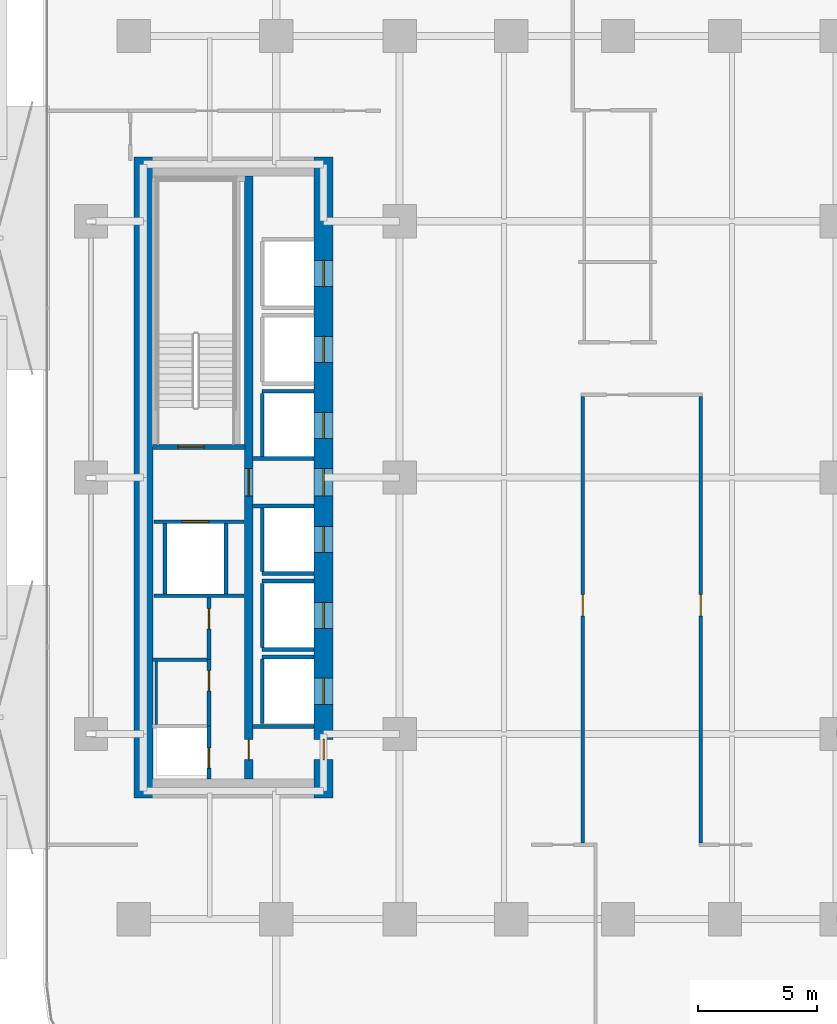
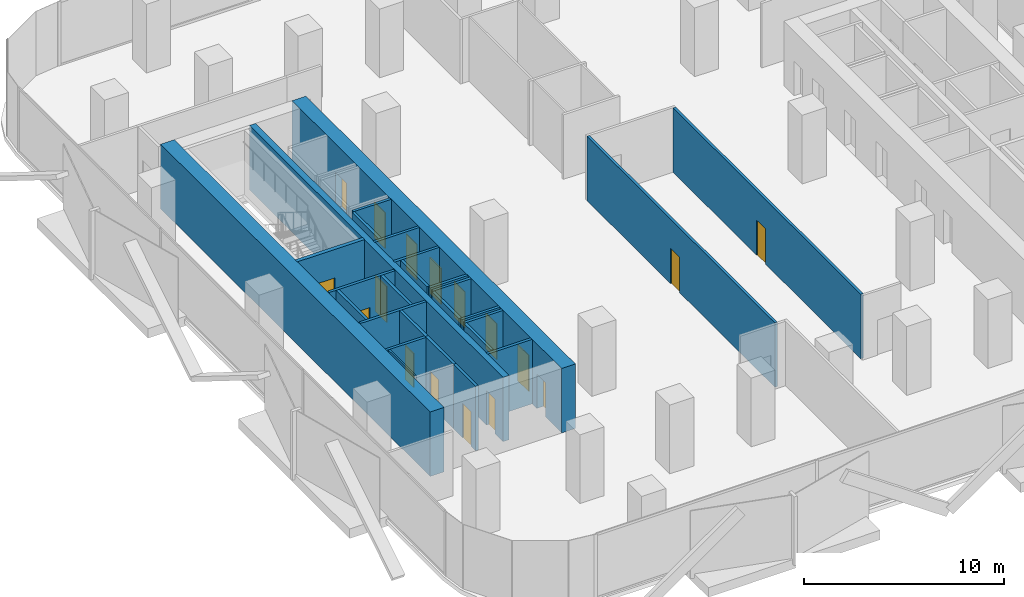
# One storey, part 3 of 14: 27 walls, 17 doors, 17 openings.
"""IFC4 building model written with IfcOpenShell, lengths in metres."""

from ifc_helpers import new_model, si_unit, direction, frame, frame_2d, origin, place, context, subcontext, project, spatial, rectangle, extrude, material, layer, layer_set, type_object, element, fill, save


model = new_model("IFC4")

# Units and contexts
model_context = context("Model", 3, precision=1e-05, world=origin(), true_north=direction((0.0, 1.0)))
body_context = subcontext(model_context, "Body", "Model", "MODEL_VIEW")
ifc_project = project(units=[si_unit("LENGTHUNIT", "METRE"), si_unit("AREAUNIT", "SQUARE_METRE"), si_unit("VOLUMEUNIT", "CUBIC_METRE"), si_unit("PLANEANGLEUNIT", "RADIAN"), si_unit("MASSUNIT", "GRAM", prefix="KILO")], contexts=[model_context])

# Site, building, storey
site_placement = place(None, origin())
site = spatial("IfcSite", under=ifc_project, at=site_placement, CompositionType="ELEMENT")
building_placement = place(site_placement, origin())
building = spatial("IfcBuilding", under=site, at=building_placement, Name="Khairoan Windgate Tower", CompositionType="ELEMENT")
storey_placement = place(building_placement, frame((0.0, 0.0, 63.800048828125)))
storey = spatial("IfcBuildingStorey", under=building, at=storey_placement, Name="L15", CompositionType="ELEMENT", Elevation=63.800048828125)

# Walls
ifc_material_1 = material(Name="Moisture-Resistant Gypsum Partition", Category="gypsum")
ifc_layer_1 = layer(ifc_material_1, 0.10009765625, Name="Moisture-Resistant Gypsum Partition")
ifc_layer_set_1 = layer_set([ifc_layer_1], Name="Moisture-Resistant Gypsum Partition")
wall_type_1 = type_object("IfcWallType", Name="Bathroom Wet-Area Partition Wall", PredefinedType="PARTITIONING", material=ifc_layer_set_1)
wall_1_placement = place(storey_placement, frame((-19.449951171875, -10.389892578125, 0.0), z_axis=(0.0, 0.0, 1.0), x_axis=(0.0, 1.0, 0.0)))
element("IfcWall", 1, at=wall_1_placement, inside=storey, type_object=wall_type_1, Name="L15 Wet Room Side Wall 030", PredefinedType="PARTITIONING", context=body_context, shape_type="SweptSolid", body=[
    extrude(rectangle(XDim=2.639892578125, YDim=0.10009765625, at=frame_2d((1.31982421875, 0.0))), origin(), (0.0, 0.0, 1.0), 3.93994140625),
])
ifc_material_2 = material(Name="Concrete C40/50", Category="concrete")
ifc_layer_2 = layer(ifc_material_2, 0.159912109375, Name="Concrete C40/50")
ifc_layer_set_2 = layer_set([ifc_layer_2], Name="Concrete C40/50")
wall_type_2 = type_object("IfcWallType", Name="Core and Hoistway Enclosure Wall", PredefinedType="STANDARD", material=ifc_layer_set_2)
wall_2_placement = place(storey_placement, frame((-14.989990234375, 3.639892578125, 0.0), z_axis=(0.0, 0.0, 1.0), x_axis=(1.0, 0.0, 0.0)))
element("IfcWall", 2, at=wall_2_placement, inside=storey, type_object=wall_type_2, Name="L15 Lift PL3 Hoistway Divider N", PredefinedType="STANDARD", context=body_context, shape_type="SweptSolid", body=[
    extrude(rectangle(XDim=2.18994140625, YDim=0.159912109375, at=frame_2d((1.094970703125, 0.0))), origin(), (0.0, 0.0, 1.0), 3.93994140625),
])
wall_3_placement = place(storey_placement, frame((-14.989990234375, 0.85009765625, 0.0), z_axis=(0.0, 0.0, 1.0), x_axis=(0.0, 1.0, 0.0)))
element("IfcWall", 3, at=wall_3_placement, inside=storey, type_object=wall_type_2, Name="L15 Lift PL3 Hoistway Back Wall", PredefinedType="STANDARD", context=body_context, shape_type="SweptSolid", body=[
    extrude(rectangle(XDim=2.699951171875, YDim=0.159912109375, at=frame_2d((1.35009765625, 0.0))), origin(), (0.0, 0.0, 1.0), 3.93994140625),
])
wall_4_placement = place(storey_placement, frame((-14.989990234375, -4.0400390625, 0.0), z_axis=(0.0, 0.0, 1.0), x_axis=(1.0, 0.0, 0.0)))
element("IfcWall", 4, at=wall_4_placement, inside=storey, type_object=wall_type_2, Name="L15 Lift PL4 Hoistway Divider S", PredefinedType="STANDARD", context=body_context, shape_type="SweptSolid", body=[
    extrude(rectangle(XDim=2.18994140625, YDim=0.159912109375, at=frame_2d((1.094970703125, 0.0))), origin(), (0.0, 0.0, 1.0), 3.93994140625),
])
wall_5_placement = place(storey_placement, frame((-14.989990234375, -3.949951171875, 0.0), z_axis=(0.0, 0.0, 1.0), x_axis=(0.0, 1.0, 0.0)))
element("IfcWall", 5, at=wall_5_placement, inside=storey, type_object=wall_type_2, Name="L15 Lift PL4 Hoistway Back Wall", PredefinedType="STANDARD", context=body_context, shape_type="SweptSolid", body=[
    extrude(rectangle(XDim=2.699951171875, YDim=0.159912109375, at=frame_2d((1.35009765625, 0.0))), origin(), (0.0, 0.0, 1.0), 3.93994140625),
])
for number, where, z_axis, x_axis, name in (
    (6, (-14.989990234375, -7.239990234375, 0.0), (0.0, 0.0, 1.0), (1.0, 0.0, 0.0), "L15 Lift PL5 Hoistway Divider S"),
    (7, (-14.989990234375, -4.360107421875, 0.0), (0.0, 0.0, 1.0), (1.0, 0.0, 0.0), "L15 Lift PL5 Hoistway Divider N"),
):
    element("IfcWall", number, at=place(storey_placement, frame(where, z_axis=z_axis, x_axis=x_axis)), inside=storey, type_object=wall_type_2, Name=name, PredefinedType="STANDARD", context=body_context, shape_type="SweptSolid", body=[
        extrude(rectangle(XDim=2.18994140625, YDim=0.159912109375, at=frame_2d((1.094970703125, 0.0))), origin(), (0.0, 0.0, 1.0), 3.93994140625),
    ])
wall_6_placement = place(storey_placement, frame((-14.989990234375, -7.14990234375, 0.0), z_axis=(0.0, 0.0, 1.0), x_axis=(0.0, 1.0, 0.0)))
element("IfcWall", 8, at=wall_6_placement, inside=storey, type_object=wall_type_2, Name="L15 Lift PL5 Hoistway Back Wall", PredefinedType="STANDARD", context=body_context, shape_type="SweptSolid", body=[
    extrude(rectangle(XDim=2.699951171875, YDim=0.159912109375, at=frame_2d((1.35009765625, 0.0))), origin(), (0.0, 0.0, 1.0), 3.93994140625),
])
wall_7_placement = place(storey_placement, frame((-14.989990234375, -7.56005859375, 0.0), z_axis=(0.0, 0.0, 1.0), x_axis=(1.0, 0.0, 0.0)))
element("IfcWall", 9, at=wall_7_placement, inside=storey, type_object=wall_type_2, Name="L15 Lift PL6 Hoistway Divider N", PredefinedType="STANDARD", context=body_context, shape_type="SweptSolid", body=[
    extrude(rectangle(XDim=2.18994140625, YDim=0.159912109375, at=frame_2d((1.094970703125, 0.0))), origin(), (0.0, 0.0, 1.0), 3.93994140625),
])
wall_8_placement = place(storey_placement, frame((-14.989990234375, -10.35009765625, 0.0), z_axis=(0.0, 0.0, 1.0), x_axis=(0.0, 1.0, 0.0)))
element("IfcWall", 10, at=wall_8_placement, inside=storey, type_object=wall_type_2, Name="L15 Lift PL6 Hoistway Back Wall", PredefinedType="STANDARD", context=body_context, shape_type="SweptSolid", body=[
    extrude(rectangle(XDim=2.7001953125, YDim=0.159912109375, at=frame_2d((1.35009765625, 0.0))), origin(), (0.0, 0.0, 1.0), 3.93994140625),
])

# Wall, opening, door
wall_9_placement = place(storey_placement, frame((-19.550048828125, -1.860107421875, 0.0), z_axis=(0.0, 0.0, 1.0), x_axis=(1.0, 0.0, 0.0)))
wall_9 = element("IfcWall", 11, at=wall_9_placement, inside=storey, type_object=wall_type_2, Name="L15 Core Shaft Wall SW-FL2-L15", PredefinedType="STANDARD", context=body_context, shape_type="SweptSolid", body=[
    extrude(rectangle(XDim=3.800048828125, YDim=0.159912109375, at=frame_2d((1.89990234375, 0.0))), origin(), (0.0, 0.0, 1.0), 3.93994140625),
])
opening_1_placement = place(wall_9_placement, frame((1.179931640625, 0.0, 0.0)))
opening_1 = element("IfcOpeningElement", 12, at=opening_1_placement, cuts=wall_9, Name="Opening LD-FL", PredefinedType="OPENING", context=body_context, shape_type="SweptSolid", body=[
    extrude(rectangle(XDim=1.14990234375, YDim=2.199951171875, at=frame_2d((0.574951171875, 1.10009765625))), frame((0.0, 0.08984375, 0.0), z_axis=(0.0, -1.0, 0.0), x_axis=(1.0, 0.0, 0.0)), (0.0, 0.0, 1.0), 0.179931640625),
])
ifc_material_3 = material(Name="Steel S355", Category="steel")
door_type_1 = type_object("IfcDoorType", Name="Firefighting Lift Sliding Landing Door LD-FL 1150x2200", OperationType="DOUBLE_DOOR_SLIDING", PredefinedType="DOOR", material=ifc_material_3)
door_1_placement = place(opening_1_placement, origin())
door_1 = element("IfcDoor", 13, at=door_1_placement, inside=storey, type_object=door_type_1, Name="L15 Firefighting Lift FL2 Landing Door", OperationType="DOUBLE_DOOR_SLIDING", OverallHeight=2.199951171875, OverallWidth=1.14990234375, PredefinedType="DOOR", context=body_context, shape_type="SweptSolid", body=[
    extrude(rectangle(XDim=1.14990234375, YDim=2.199951171875, at=frame_2d((0.574951171875, 1.10009765625))), frame((0.0, 0.02490234375, 0.0), z_axis=(0.0, -1.0, 0.0), x_axis=(1.0, 0.0, 0.0)), (0.0, 0.0, 1.0), 0.050048828125),
])
fill(opening_1, door_1)

# Walls
wall_10_placement = place(storey_placement, frame((-19.550048828125, -4.97998046875, 0.0), z_axis=(0.0, 0.0, 1.0), x_axis=(1.0, 0.0, 0.0)))
element("IfcWall", 14, at=wall_10_placement, inside=storey, type_object=wall_type_2, Name="L15 Core Shaft Wall SW-FL2B-L15", PredefinedType="STANDARD", context=body_context, shape_type="SweptSolid", body=[
    extrude(rectangle(XDim=3.800048828125, YDim=0.159912109375, at=frame_2d((1.89990234375, 0.0))), origin(), (0.0, 0.0, 1.0), 3.93994140625),
])
for number, where, z_axis, x_axis, name in (
    (15, (-19.080078125, -4.89990234375, 0.0), (0.0, 0.0, 1.0), (0.0, 1.0, 0.0), "L15 Core Shaft Wall SW-FL2W-L15"),
    (16, (-16.52001953125, -4.89990234375, 0.0), (0.0, 0.0, 1.0), (0.0, 1.0, 0.0), "L15 Core Shaft Wall SW-FL2E-L15"),
):
    element("IfcWall", number, at=place(storey_placement, frame(where, z_axis=z_axis, x_axis=x_axis)), inside=storey, type_object=wall_type_2, Name=name, PredefinedType="STANDARD", context=body_context, shape_type="SweptSolid", body=[
        extrude(rectangle(XDim=2.9599609375, YDim=0.159912109375, at=frame_2d((1.47998046875, 0.0))), origin(), (0.0, 0.0, 1.0), 3.93994140625),
    ])
for number, where, z_axis, x_axis, name in (
    (17, (-15.39990234375, 0.800048828125, 0.0), (0.0, 0.0, 1.0), (1.0, 0.0, 0.0), "L15 Core Shaft Wall SW-WV1-L15"),
    (18, (-15.39990234375, -1.199951171875, 0.0), (0.0, 0.0, 1.0), (1.0, 0.0, 0.0), "L15 Core Shaft Wall SW-WV2-L15"),
    (19, (-15.39990234375, -10.47998046875, 0.0), (0.0, 0.0, 1.0), (1.0, 0.0, 0.0), "L15 Core Shaft Wall SW-WSV-L15"),
):
    element("IfcWall", number, at=place(storey_placement, frame(where, z_axis=z_axis, x_axis=x_axis)), inside=storey, type_object=wall_type_2, Name=name, PredefinedType="STANDARD", context=body_context, shape_type="SweptSolid", body=[
        extrude(rectangle(XDim=2.599853515625, YDim=0.159912109375, at=frame_2d((1.2998046875, 0.0))), origin(), (0.0, 0.0, 1.0), 3.93994140625),
    ])

# Wall, opening, door
ifc_material_4 = material(Name="Concrete C40/50", Category="concrete")
ifc_layer_3 = layer(ifc_material_4, 0.159912109375, Name="Concrete C40/50")
ifc_layer_set_3 = layer_set([ifc_layer_3], Name="Concrete C40/50")
wall_type_3 = type_object("IfcWallType", Name="Plant and Refuge Compartment Wall", PredefinedType="PARTITIONING", material=ifc_layer_set_3)
wall_11_placement = place(storey_placement, frame((-17.22998046875, -12.699951171875, 0.0), z_axis=(0.0, 0.0, 1.0), x_axis=(0.0, 1.0, 0.0)))
wall_11 = element("IfcWall", 20, at=wall_11_placement, inside=storey, type_object=wall_type_3, Name="L15 Interior Partition 001", PredefinedType="PARTITIONING", context=body_context, shape_type="SweptSolid", body=[
    extrude(rectangle(XDim=2.22998046875, YDim=0.159912109375, at=frame_2d((1.114990234375, 0.0))), origin(), (0.0, 0.0, 1.0), 3.93994140625),
])
opening_2_placement = place(wall_11_placement, frame((0.4599609375, 0.0, 0.0)))
opening_2 = element("IfcOpeningElement", 21, at=opening_2_placement, cuts=wall_11, Name="Opening FD-SRV", PredefinedType="OPENING", context=body_context, shape_type="SweptSolid", body=[
    extrude(rectangle(XDim=0.85009765625, YDim=2.10009765625, at=frame_2d((0.425048828125, 1.050048828125))), frame((0.0, 0.08984375, 0.0), z_axis=(0.0, -1.0, 0.0), x_axis=(1.0, 0.0, 0.0)), (0.0, 0.0, 1.0), 0.179931640625),
])
ifc_material_5 = material(Name="Steel S355", Category="steel")
door_type_2 = type_object("IfcDoorType", Name="Core Service and Riser Fire Door FD-SRV 850x2100", OperationType="NOTDEFINED", PredefinedType="DOOR", material=ifc_material_5)
door_2_placement = place(opening_2_placement, origin())
door_2 = element("IfcDoor", 22, at=door_2_placement, inside=storey, type_object=door_type_2, Name="L15 L15-04-L15-05 Door", OperationType="SINGLE_SWING_LEFT", OverallHeight=2.10009765625, OverallWidth=0.85009765625, PredefinedType="DOOR", context=body_context, shape_type="SweptSolid", body=[
    extrude(rectangle(XDim=0.85009765625, YDim=2.10009765625, at=frame_2d((0.425048828125, 1.050048828125))), frame((0.0, 0.02490234375, 0.0), z_axis=(0.0, -1.0, 0.0), x_axis=(1.0, 0.0, 0.0)), (0.0, 0.0, 1.0), 0.050048828125),
])
fill(opening_2, door_2)

wall_12_placement = place(storey_placement, frame((-17.22998046875, -10.469970703125, 0.0), z_axis=(0.0, 0.0, 1.0), x_axis=(0.0, 1.0, 0.0)))
wall_12 = element("IfcWall", 23, at=wall_12_placement, inside=storey, type_object=wall_type_3, Name="L15 Interior Partition 002", PredefinedType="PARTITIONING", context=body_context, shape_type="SweptSolid", body=[
    extrude(rectangle(XDim=2.800048828125, YDim=0.159912109375, at=frame_2d((1.39990234375, 0.0))), origin(), (0.0, 0.0, 1.0), 3.93994140625),
])
opening_3_placement = place(wall_12_placement, frame((1.489990234375, 0.0, 0.0)))
opening_3 = element("IfcOpeningElement", 24, at=opening_3_placement, cuts=wall_12, Name="Opening FD-SRV", PredefinedType="OPENING", context=body_context, shape_type="SweptSolid", body=[
    extrude(rectangle(XDim=0.85009765625, YDim=2.10009765625, at=frame_2d((0.425048828125, 1.050048828125))), frame((0.0, 0.08984375, 0.0), z_axis=(0.0, -1.0, 0.0), x_axis=(1.0, 0.0, 0.0)), (0.0, 0.0, 1.0), 0.179931640625),
])
door_3_placement = place(opening_3_placement, origin())
door_3 = element("IfcDoor", 25, at=door_3_placement, inside=storey, type_object=door_type_2, Name="L15 L15-04-L15-06 Door", OperationType="SINGLE_SWING_RIGHT", OverallHeight=2.10009765625, OverallWidth=0.85009765625, PredefinedType="DOOR", context=body_context, shape_type="SweptSolid", body=[
    extrude(rectangle(XDim=0.85009765625, YDim=2.10009765625, at=frame_2d((0.425048828125, 1.050048828125))), frame((0.0, 0.02490234375, 0.0), z_axis=(0.0, -1.0, 0.0), x_axis=(1.0, 0.0, 0.0)), (0.0, 0.0, 1.0), 0.050048828125),
])
fill(opening_3, door_3)

wall_13_placement = place(storey_placement, frame((-17.22998046875, -7.669921875, 0.0), z_axis=(0.0, 0.0, 1.0), x_axis=(0.0, 1.0, 0.0)))
wall_13 = element("IfcWall", 26, at=wall_13_placement, inside=storey, type_object=wall_type_3, Name="L15 Interior Partition 003", PredefinedType="PARTITIONING", context=body_context, shape_type="SweptSolid", body=[
    extrude(rectangle(XDim=2.60986328125, YDim=0.159912109375, at=frame_2d((1.304931640625, 0.0))), origin(), (0.0, 0.0, 1.0), 3.93994140625),
])
opening_4_placement = place(wall_13_placement, frame((1.300048828125, 0.0, 0.0)))
opening_4 = element("IfcOpeningElement", 27, at=opening_4_placement, cuts=wall_13, Name="Opening FD-SRV", PredefinedType="OPENING", context=body_context, shape_type="SweptSolid", body=[
    extrude(rectangle(XDim=0.85009765625, YDim=2.10009765625, at=frame_2d((0.425048828125, 1.050048828125))), frame((0.0, 0.08984375, 0.0), z_axis=(0.0, -1.0, 0.0), x_axis=(1.0, 0.0, 0.0)), (0.0, 0.0, 1.0), 0.179931640625),
])
door_4_placement = place(opening_4_placement, origin())
door_4 = element("IfcDoor", 28, at=door_4_placement, inside=storey, type_object=door_type_2, Name="L15 L15-04-L15-07 Door", OperationType="SINGLE_SWING_LEFT", OverallHeight=2.10009765625, OverallWidth=0.85009765625, PredefinedType="DOOR", context=body_context, shape_type="SweptSolid", body=[
    extrude(rectangle(XDim=0.85009765625, YDim=2.10009765625, at=frame_2d((0.425048828125, 1.050048828125))), frame((0.0, 0.02490234375, 0.0), z_axis=(0.0, -1.0, 0.0), x_axis=(1.0, 0.0, 0.0)), (0.0, 0.0, 1.0), 0.050048828125),
])
fill(opening_4, door_4)

# Wall
wall_14_placement = place(storey_placement, frame((-19.60009765625, -7.669921875, 0.0), z_axis=(0.0, 0.0, 1.0), x_axis=(1.0, 0.0, 0.0)))
element("IfcWall", 29, at=wall_14_placement, inside=storey, type_object=wall_type_3, Name="L15 Interior Partition 005", PredefinedType="PARTITIONING", context=body_context, shape_type="SweptSolid", body=[
    extrude(rectangle(XDim=2.2900390625, YDim=0.159912109375, at=frame_2d((1.14501953125, 0.0))), origin(), (0.0, 0.0, 1.0), 3.93994140625),
])

# Wall, opening, door
ifc_material_6 = material(Name="Acoustic Fire-Rated Gypsum Partition", Category="gypsum")
ifc_layer_4 = layer(ifc_material_6, 0.14990234375, Name="Acoustic Fire-Rated Gypsum Partition")
ifc_layer_set_4 = layer_set([ifc_layer_4], Name="Acoustic Fire-Rated Gypsum Partition")
wall_type_4 = type_object("IfcWallType", Name="Rated Corridor Partition Wall", PredefinedType="PARTITIONING", material=ifc_layer_set_4)
wall_15_placement = place(storey_placement, frame((-1.485107421875, -15.385009765625, 0.0), z_axis=(0.0, 0.0, 1.0), x_axis=(0.0, 1.0, 0.0)))
wall_15 = element("IfcWall", 30, at=wall_15_placement, inside=storey, type_object=wall_type_4, Name="L15 Interior Partition 013", PredefinedType="PARTITIONING", context=body_context, shape_type="SweptSolid", body=[
    extrude(rectangle(XDim=18.804931640625, YDim=0.14990234375, at=frame_2d((9.40234375, 0.0))), origin(), (0.0, 0.0, 1.0), 3.93994140625),
])
opening_5_placement = place(wall_15_placement, frame((9.55908203125, 0.0, 0.0)))
opening_5 = element("IfcOpeningElement", 31, at=opening_5_placement, cuts=wall_15, Name="Opening FD-ENT", PredefinedType="OPENING", context=body_context, shape_type="SweptSolid", body=[
    extrude(rectangle(XDim=0.89990234375, YDim=2.14990234375, at=frame_2d((0.449951171875, 1.074951171875))), frame((0.0, 0.0849609375, 0.0), z_axis=(0.0, -1.0, 0.0), x_axis=(1.0, 0.0, 0.0)), (0.0, 0.0, 1.0), 0.169921875),
])
ifc_material_7 = material(Name="Timber Fire-Rated Core", Category="wood")
door_type_3 = type_object("IfcDoorType", Name="Unit and Office Fire Entrance Door FD-ENT 900x2150", OperationType="NOTDEFINED", PredefinedType="DOOR", material=ifc_material_7)
door_5_placement = place(opening_5_placement, origin())
door_5 = element("IfcDoor", 32, at=door_5_placement, inside=storey, type_object=door_type_3, Name="L15 L15-31-L15-46 Door", OperationType="SINGLE_SWING_RIGHT", OverallHeight=2.14990234375, OverallWidth=0.89990234375, PredefinedType="DOOR", context=body_context, shape_type="SweptSolid", body=[
    extrude(rectangle(XDim=0.89990234375, YDim=2.14990234375, at=frame_2d((0.449951171875, 1.074951171875))), frame((0.0, 0.02490234375, 0.0), z_axis=(0.0, -1.0, 0.0), x_axis=(1.0, 0.0, 0.0)), (0.0, 0.0, 1.0), 0.050048828125),
])
fill(opening_5, door_5)

wall_16_placement = place(storey_placement, frame((3.485107421875, -15.385009765625, 0.0), z_axis=(0.0, 0.0, 1.0), x_axis=(0.0, 1.0, 0.0)))
wall_16 = element("IfcWall", 33, at=wall_16_placement, inside=storey, type_object=wall_type_4, Name="L15 Interior Partition 015", PredefinedType="PARTITIONING", context=body_context, shape_type="SweptSolid", body=[
    extrude(rectangle(XDim=18.804931640625, YDim=0.14990234375, at=frame_2d((9.40234375, 0.0))), origin(), (0.0, 0.0, 1.0), 3.93994140625),
])
opening_6_placement = place(wall_16_placement, frame((9.55908203125, 0.0, 0.0)))
opening_6 = element("IfcOpeningElement", 34, at=opening_6_placement, cuts=wall_16, Name="Opening FD-ENT", PredefinedType="OPENING", context=body_context, shape_type="SweptSolid", body=[
    extrude(rectangle(XDim=0.89990234375, YDim=2.14990234375, at=frame_2d((0.449951171875, 1.074951171875))), frame((0.0, 0.0849609375, 0.0), z_axis=(0.0, -1.0, 0.0), x_axis=(1.0, 0.0, 0.0)), (0.0, 0.0, 1.0), 0.169921875),
])
door_6_placement = place(opening_6_placement, origin())
door_6 = element("IfcDoor", 35, at=door_6_placement, inside=storey, type_object=door_type_3, Name="L15 L15-32-L15-46 Door", OperationType="SINGLE_SWING_RIGHT", OverallHeight=2.14990234375, OverallWidth=0.89990234375, PredefinedType="DOOR", context=body_context, shape_type="SweptSolid", body=[
    extrude(rectangle(XDim=0.89990234375, YDim=2.14990234375, at=frame_2d((0.449951171875, 1.074951171875))), frame((0.0, 0.02490234375, 0.0), z_axis=(0.0, -1.0, 0.0), x_axis=(1.0, 0.0, 0.0)), (0.0, 0.0, 1.0), 0.050048828125),
])
fill(opening_6, door_6)

# Wall
ifc_material_8 = material(Name="Concrete C70/85", Category="concrete")
ifc_layer_5 = layer(ifc_material_8, 0.800048828125, Name="Concrete C70/85")
ifc_layer_set_5 = layer_set([ifc_layer_5], Name="Concrete C70/85")
wall_type_5 = type_object("IfcWallType", Name="Shear Wall CW-W1 800mm", PredefinedType="SHEAR", material=ifc_layer_set_5)
wall_17_placement = place(storey_placement, frame((-20.0, -13.5, 0.0), z_axis=(0.0, 0.0, 1.0), x_axis=(0.0, 1.0, 0.0)))
element("IfcWall", 36, at=wall_17_placement, inside=storey, type_object=wall_type_5, Name="W Core West Shear Wall L15", PredefinedType="SHEAR", context=body_context, shape_type="SweptSolid", body=[
    extrude(rectangle(XDim=27.0, YDim=0.800048828125, at=frame_2d((13.5, 0.0))), origin(), (0.0, 0.0, 1.0), 3.93994140625),
])

# Wall, openings, doors
wall_18_placement = place(storey_placement, frame((-12.39990234375, -13.5, 0.0), z_axis=(0.0, 0.0, 1.0), x_axis=(0.0, 1.0, 0.0)))
wall_18 = element("IfcWall", 37, at=wall_18_placement, inside=storey, type_object=wall_type_5, Name="W Core East Shear Wall L15", PredefinedType="SHEAR", context=body_context, shape_type="SweptSolid", body=[
    extrude(rectangle(XDim=27.0, YDim=0.800048828125, at=frame_2d((13.5, 0.0))), origin(), (0.0, 0.0, 1.0), 3.93994140625),
])
opening_7_placement = place(wall_18_placement, frame((21.550048828125, 0.0, 0.0)))
opening_7 = element("IfcOpeningElement", 38, at=opening_7_placement, cuts=wall_18, Name="Opening LD-PL", PredefinedType="OPENING", context=body_context, shape_type="SweptSolid", body=[
    extrude(rectangle(XDim=1.10009765625, YDim=2.199951171875, at=frame_2d((0.550048828125, 1.10009765625))), frame((0.0, 0.409912109375, 0.0), z_axis=(0.0, -1.0, 0.0), x_axis=(1.0, 0.0, 0.0)), (0.0, 0.0, 1.0), 0.820068359375),
])
opening_8_placement = place(wall_18_placement, frame((18.35009765625, 0.0, 0.0)))
opening_8 = element("IfcOpeningElement", 39, at=opening_8_placement, cuts=wall_18, Name="Opening LD-PL", PredefinedType="OPENING", context=body_context, shape_type="SweptSolid", body=[
    extrude(rectangle(XDim=1.10009765625, YDim=2.199951171875, at=frame_2d((0.550048828125, 1.10009765625))), frame((0.0, 0.409912109375, 0.0), z_axis=(0.0, -1.0, 0.0), x_axis=(1.0, 0.0, 0.0)), (0.0, 0.0, 1.0), 0.820068359375),
])
opening_9_placement = place(wall_18_placement, frame((15.14990234375, 0.0, 0.0)))
opening_9 = element("IfcOpeningElement", 40, at=opening_9_placement, cuts=wall_18, Name="Opening LD-PL", PredefinedType="OPENING", context=body_context, shape_type="SweptSolid", body=[
    extrude(rectangle(XDim=1.10009765625, YDim=2.199951171875, at=frame_2d((0.550048828125, 1.10009765625))), frame((0.0, 0.409912109375, 0.0), z_axis=(0.0, -1.0, 0.0), x_axis=(1.0, 0.0, 0.0)), (0.0, 0.0, 1.0), 0.820068359375),
])
opening_10_placement = place(wall_18_placement, frame((10.35009765625, 0.0, 0.0)))
opening_10 = element("IfcOpeningElement", 41, at=opening_10_placement, cuts=wall_18, Name="Opening LD-PL", PredefinedType="OPENING", context=body_context, shape_type="SweptSolid", body=[
    extrude(rectangle(XDim=1.10009765625, YDim=2.199951171875, at=frame_2d((0.550048828125, 1.10009765625))), frame((0.0, 0.409912109375, 0.0), z_axis=(0.0, -1.0, 0.0), x_axis=(1.0, 0.0, 0.0)), (0.0, 0.0, 1.0), 0.820068359375),
])
opening_11_placement = place(wall_18_placement, frame((7.14990234375, 0.0, 0.0)))
opening_11 = element("IfcOpeningElement", 42, at=opening_11_placement, cuts=wall_18, Name="Opening LD-PL", PredefinedType="OPENING", context=body_context, shape_type="SweptSolid", body=[
    extrude(rectangle(XDim=1.10009765625, YDim=2.199951171875, at=frame_2d((0.550048828125, 1.10009765625))), frame((0.0, 0.409912109375, 0.0), z_axis=(0.0, -1.0, 0.0), x_axis=(1.0, 0.0, 0.0)), (0.0, 0.0, 1.0), 0.820068359375),
])
opening_12_placement = place(wall_18_placement, frame((3.949951171875, 0.0, 0.0)))
opening_12 = element("IfcOpeningElement", 43, at=opening_12_placement, cuts=wall_18, Name="Opening LD-PL", PredefinedType="OPENING", context=body_context, shape_type="SweptSolid", body=[
    extrude(rectangle(XDim=1.10009765625, YDim=2.199951171875, at=frame_2d((0.550048828125, 1.10009765625))), frame((0.0, 0.409912109375, 0.0), z_axis=(0.0, -1.0, 0.0), x_axis=(1.0, 0.0, 0.0)), (0.0, 0.0, 1.0), 0.820068359375),
])
opening_13_placement = place(wall_18_placement, frame((12.72509765625, 0.0, 0.0)))
opening_13 = element("IfcOpeningElement", 44, at=opening_13_placement, cuts=wall_18, Name="Opening FD-FFL", PredefinedType="OPENING", context=body_context, shape_type="SweptSolid", body=[
    extrude(rectangle(XDim=1.14990234375, YDim=2.199951171875, at=frame_2d((0.574951171875, 1.10009765625))), frame((0.0, 0.409912109375, 0.0), z_axis=(0.0, -1.0, 0.0), x_axis=(1.0, 0.0, 0.0)), (0.0, 0.0, 1.0), 0.820068359375),
])
opening_14_placement = place(wall_18_placement, frame((1.625, 0.0, 0.0)))
opening_14 = element("IfcOpeningElement", 45, at=opening_14_placement, cuts=wall_18, Name="Opening FD-SRV", PredefinedType="OPENING", context=body_context, shape_type="SweptSolid", body=[
    extrude(rectangle(XDim=0.85009765625, YDim=2.10009765625, at=frame_2d((0.425048828125, 1.050048828125))), frame((0.0, 0.409912109375, 0.0), z_axis=(0.0, -1.0, 0.0), x_axis=(1.0, 0.0, 0.0)), (0.0, 0.0, 1.0), 0.820068359375),
])
door_7_placement = place(opening_14_placement, origin())
door_7 = element("IfcDoor", 46, at=door_7_placement, inside=storey, type_object=door_type_2, Name="L15 West Core Service Vestibule Outer Door", OperationType="SINGLE_SWING_LEFT", OverallHeight=2.10009765625, OverallWidth=0.85009765625, PredefinedType="DOOR", context=body_context, shape_type="SweptSolid", body=[
    extrude(rectangle(XDim=0.85009765625, YDim=2.10009765625, at=frame_2d((0.425048828125, 1.050048828125))), frame((0.0, 0.02490234375, 0.0), z_axis=(0.0, -1.0, 0.0), x_axis=(1.0, 0.0, 0.0)), (0.0, 0.0, 1.0), 0.050048828125),
])
fill(opening_14, door_7)
ifc_material_9 = material(Name="Steel S355", Category="steel")
door_type_4 = type_object("IfcDoorType", Name="Firefighting Lobby Fire Door FD-FFL 1150x2200", OperationType="NOTDEFINED", PredefinedType="DOOR", material=ifc_material_9)
door_8_placement = place(opening_13_placement, origin())
door_8 = element("IfcDoor", 47, at=door_8_placement, inside=storey, type_object=door_type_4, Name="L15 West Core Vestibule Entry Door", OperationType="SINGLE_SWING_LEFT", OverallHeight=2.199951171875, OverallWidth=1.14990234375, PredefinedType="DOOR", context=body_context, shape_type="SweptSolid", body=[
    extrude(rectangle(XDim=1.14990234375, YDim=2.199951171875, at=frame_2d((0.574951171875, 1.10009765625))), frame((0.0, 0.02490234375, 0.0), z_axis=(0.0, -1.0, 0.0), x_axis=(1.0, 0.0, 0.0)), (0.0, 0.0, 1.0), 0.050048828125),
])
fill(opening_13, door_8)
ifc_material_10 = material(Name="Anodised Bronze Aluminium 6063-T6", Category="aluminium")
door_type_5 = type_object("IfcDoorType", Name="Passenger Lift Sliding Landing Door LD-PL 1100x2200", OperationType="DOUBLE_DOOR_SLIDING", PredefinedType="DOOR", material=ifc_material_10)
door_9_placement = place(opening_7_placement, origin())
door_9 = element("IfcDoor", 48, at=door_9_placement, inside=storey, type_object=door_type_5, Name="L15 Lift PL1 Sliding Landing Door", OperationType="DOUBLE_DOOR_SLIDING", OverallHeight=2.199951171875, OverallWidth=1.10009765625, PredefinedType="DOOR", context=body_context, shape_type="SweptSolid", body=[
    extrude(rectangle(XDim=1.10009765625, YDim=2.199951171875, at=frame_2d((0.550048828125, 1.10009765625))), frame((0.0, 0.02490234375, 0.0), z_axis=(0.0, -1.0, 0.0), x_axis=(1.0, 0.0, 0.0)), (0.0, 0.0, 1.0), 0.050048828125),
])
fill(opening_7, door_9)
door_10_placement = place(opening_8_placement, origin())
door_10 = element("IfcDoor", 49, at=door_10_placement, inside=storey, type_object=door_type_5, Name="L15 Lift PL2 Sliding Landing Door", OperationType="DOUBLE_DOOR_SLIDING", OverallHeight=2.199951171875, OverallWidth=1.10009765625, PredefinedType="DOOR", context=body_context, shape_type="SweptSolid", body=[
    extrude(rectangle(XDim=1.10009765625, YDim=2.199951171875, at=frame_2d((0.550048828125, 1.10009765625))), frame((0.0, 0.02490234375, 0.0), z_axis=(0.0, -1.0, 0.0), x_axis=(1.0, 0.0, 0.0)), (0.0, 0.0, 1.0), 0.050048828125),
])
fill(opening_8, door_10)
door_11_placement = place(opening_9_placement, origin())
door_11 = element("IfcDoor", 50, at=door_11_placement, inside=storey, type_object=door_type_5, Name="L15 Lift PL3 Sliding Landing Door", OperationType="DOUBLE_DOOR_SLIDING", OverallHeight=2.199951171875, OverallWidth=1.10009765625, PredefinedType="DOOR", context=body_context, shape_type="SweptSolid", body=[
    extrude(rectangle(XDim=1.10009765625, YDim=2.199951171875, at=frame_2d((0.550048828125, 1.10009765625))), frame((0.0, 0.02490234375, 0.0), z_axis=(0.0, -1.0, 0.0), x_axis=(1.0, 0.0, 0.0)), (0.0, 0.0, 1.0), 0.050048828125),
])
fill(opening_9, door_11)
door_12_placement = place(opening_10_placement, origin())
door_12 = element("IfcDoor", 51, at=door_12_placement, inside=storey, type_object=door_type_5, Name="L15 Lift PL4 Sliding Landing Door", OperationType="DOUBLE_DOOR_SLIDING", OverallHeight=2.199951171875, OverallWidth=1.10009765625, PredefinedType="DOOR", context=body_context, shape_type="SweptSolid", body=[
    extrude(rectangle(XDim=1.10009765625, YDim=2.199951171875, at=frame_2d((0.550048828125, 1.10009765625))), frame((0.0, 0.02490234375, 0.0), z_axis=(0.0, -1.0, 0.0), x_axis=(1.0, 0.0, 0.0)), (0.0, 0.0, 1.0), 0.050048828125),
])
fill(opening_10, door_12)
door_13_placement = place(opening_11_placement, origin())
door_13 = element("IfcDoor", 52, at=door_13_placement, inside=storey, type_object=door_type_5, Name="L15 Lift PL5 Sliding Landing Door", OperationType="DOUBLE_DOOR_SLIDING", OverallHeight=2.199951171875, OverallWidth=1.10009765625, PredefinedType="DOOR", context=body_context, shape_type="SweptSolid", body=[
    extrude(rectangle(XDim=1.10009765625, YDim=2.199951171875, at=frame_2d((0.550048828125, 1.10009765625))), frame((0.0, 0.02490234375, 0.0), z_axis=(0.0, -1.0, 0.0), x_axis=(1.0, 0.0, 0.0)), (0.0, 0.0, 1.0), 0.050048828125),
])
fill(opening_11, door_13)
door_14_placement = place(opening_12_placement, origin())
door_14 = element("IfcDoor", 53, at=door_14_placement, inside=storey, type_object=door_type_5, Name="L15 Lift PL6 Sliding Landing Door", OperationType="DOUBLE_DOOR_SLIDING", OverallHeight=2.199951171875, OverallWidth=1.10009765625, PredefinedType="DOOR", context=body_context, shape_type="SweptSolid", body=[
    extrude(rectangle(XDim=1.10009765625, YDim=2.199951171875, at=frame_2d((0.550048828125, 1.10009765625))), frame((0.0, 0.02490234375, 0.0), z_axis=(0.0, -1.0, 0.0), x_axis=(1.0, 0.0, 0.0)), (0.0, 0.0, 1.0), 0.050048828125),
])
fill(opening_12, door_14)

ifc_material_11 = material(Name="Concrete C60/75", Category="concrete")
ifc_layer_6 = layer(ifc_material_11, 0.35009765625, Name="Concrete C60/75")
ifc_layer_set_6 = layer_set([ifc_layer_6], Name="Concrete C60/75")
wall_type_6 = type_object("IfcWallType", Name="Shear Wall SW-1 350mm", PredefinedType="SHEAR", material=ifc_layer_set_6)
wall_19_placement = place(storey_placement, frame((-15.550048828125, -12.699951171875, 0.0), z_axis=(0.0, 0.0, 1.0), x_axis=(0.0, 1.0, 0.0)))
wall_19 = element("IfcWall", 54, at=wall_19_placement, inside=storey, type_object=wall_type_6, Name="W Core Spine Shear Wall L15", PredefinedType="SHEAR", context=body_context, shape_type="SweptSolid", body=[
    extrude(rectangle(XDim=25.39990234375, YDim=0.35009765625, at=frame_2d((12.699951171875, 0.0))), origin(), (0.0, 0.0, 1.0), 3.93994140625),
])
opening_15_placement = place(wall_19_placement, frame((11.925048828125, 0.0, 0.0)))
opening_15 = element("IfcOpeningElement", 55, at=opening_15_placement, cuts=wall_19, Name="Opening FD-FFL", PredefinedType="OPENING", context=body_context, shape_type="SweptSolid", body=[
    extrude(rectangle(XDim=1.14990234375, YDim=2.199951171875, at=frame_2d((0.574951171875, 1.10009765625))), frame((0.0, 0.18505859375, 0.0), z_axis=(0.0, -1.0, 0.0), x_axis=(1.0, 0.0, 0.0)), (0.0, 0.0, 1.0), 0.3701171875),
])
opening_16_placement = place(wall_19_placement, frame((0.824951171875, 0.0, 0.0)))
opening_16 = element("IfcOpeningElement", 56, at=opening_16_placement, cuts=wall_19, Name="Opening FD-SRV", PredefinedType="OPENING", context=body_context, shape_type="SweptSolid", body=[
    extrude(rectangle(XDim=0.85009765625, YDim=2.10009765625, at=frame_2d((0.425048828125, 1.050048828125))), frame((0.0, 0.18505859375, 0.0), z_axis=(0.0, -1.0, 0.0), x_axis=(1.0, 0.0, 0.0)), (0.0, 0.0, 1.0), 0.3701171875),
])
door_15_placement = place(opening_16_placement, origin())
door_15 = element("IfcDoor", 57, at=door_15_placement, inside=storey, type_object=door_type_2, Name="L15 West Core Service Passage Inner Door", OperationType="SINGLE_SWING_RIGHT", OverallHeight=2.10009765625, OverallWidth=0.85009765625, PredefinedType="DOOR", context=body_context, shape_type="SweptSolid", body=[
    extrude(rectangle(XDim=0.85009765625, YDim=2.10009765625, at=frame_2d((0.425048828125, 1.050048828125))), frame((0.0, 0.02490234375, 0.0), z_axis=(0.0, -1.0, 0.0), x_axis=(1.0, 0.0, 0.0)), (0.0, 0.0, 1.0), 0.050048828125),
])
fill(opening_16, door_15)
door_16_placement = place(opening_15_placement, origin())
door_16 = element("IfcDoor", 58, at=door_16_placement, inside=storey, type_object=door_type_4, Name="L15 West Firefighting Lobby Fire Door", OperationType="SINGLE_SWING_RIGHT", OverallHeight=2.199951171875, OverallWidth=1.14990234375, PredefinedType="DOOR", context=body_context, shape_type="SweptSolid", body=[
    extrude(rectangle(XDim=1.14990234375, YDim=2.199951171875, at=frame_2d((0.574951171875, 1.10009765625))), frame((0.0, 0.02490234375, 0.0), z_axis=(0.0, -1.0, 0.0), x_axis=(1.0, 0.0, 0.0)), (0.0, 0.0, 1.0), 0.050048828125),
])
fill(opening_15, door_16)

# Wall, opening, door
ifc_material_12 = material(Name="Concrete C50/60", Category="concrete")
ifc_layer_7 = layer(ifc_material_12, 0.219970703125, Name="Concrete C50/60")
ifc_layer_set_7 = layer_set([ifc_layer_7], Name="Concrete C50/60")
wall_type_7 = type_object("IfcWallType", Name="Shear Wall SW-ST 220mm", PredefinedType="SHEAR", material=ifc_layer_set_7)
wall_20_placement = place(storey_placement, frame((-19.6201171875, 1.2900390625, 0.0), z_axis=(0.0, 0.0, 1.0), x_axis=(1.0, 0.0, 0.0)))
wall_20 = element("IfcWall", 59, at=wall_20_placement, inside=storey, type_object=wall_type_7, Name="L15 Stair ST2 South Bearing Wall", PredefinedType="SHEAR", context=body_context, shape_type="SweptSolid", body=[
    extrude(rectangle(XDim=3.9150390625, YDim=0.219970703125, at=frame_2d((1.95751953125, 0.0))), origin(), (0.0, 0.0, 1.0), 3.93994140625),
])
opening_17_placement = place(wall_20_placement, frame((1.080078125, 0.0, 0.0)))
opening_17 = element("IfcOpeningElement", 60, at=opening_17_placement, cuts=wall_20, Name="Opening FD-ST", PredefinedType="OPENING", context=body_context, shape_type="SweptSolid", body=[
    extrude(rectangle(XDim=1.10009765625, YDim=2.199951171875, at=frame_2d((0.550048828125, 1.10009765625))), frame((0.0, 0.119873046875, 0.0), z_axis=(0.0, -1.0, 0.0), x_axis=(1.0, 0.0, 0.0)), (0.0, 0.0, 1.0), 0.239990234375),
])
ifc_material_13 = material(Name="Steel S355", Category="steel")
door_type_6 = type_object("IfcDoorType", Name="Smokeproof Stair Fire Door FD-ST 1100x2200", OperationType="NOTDEFINED", PredefinedType="DOOR", material=ifc_material_13)
door_17_placement = place(opening_17_placement, origin())
door_17 = element("IfcDoor", 61, at=door_17_placement, inside=storey, type_object=door_type_6, Name="L15 Stair ST2 Fire Door", OperationType="SINGLE_SWING_LEFT", OverallHeight=2.199951171875, OverallWidth=1.10009765625, PredefinedType="DOOR", context=body_context, shape_type="SweptSolid", body=[
    extrude(rectangle(XDim=1.10009765625, YDim=2.199951171875, at=frame_2d((0.550048828125, 1.10009765625))), frame((0.0, 0.02490234375, 0.0), z_axis=(0.0, -1.0, 0.0), x_axis=(1.0, 0.0, 0.0)), (0.0, 0.0, 1.0), 0.050048828125),
])
fill(opening_17, door_17)

save(model, "model.ifc")
